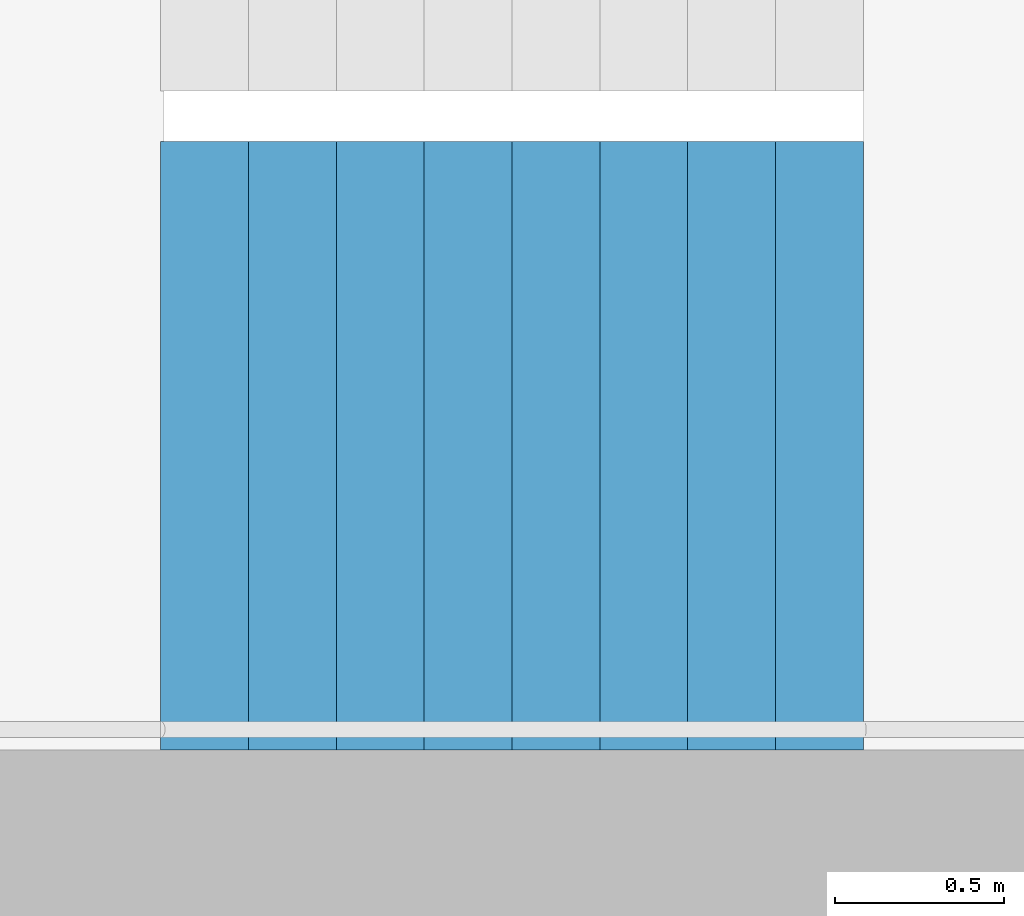
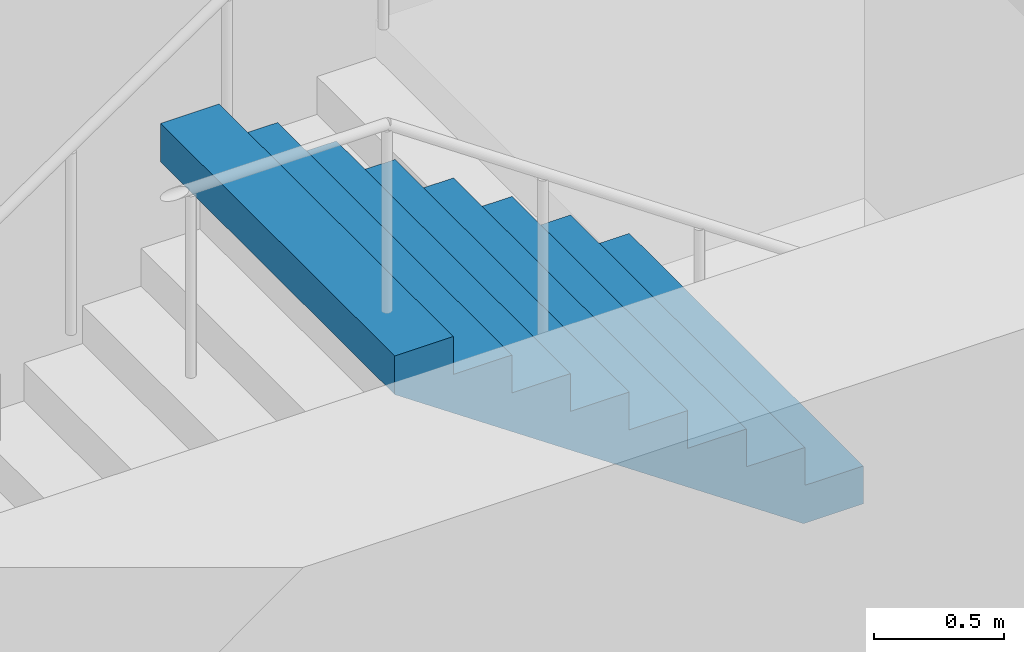
# One storey, part 22 of 26: 1 stair flight, 1 element without a shape of its own.
"""IFC4 building model written with IfcOpenShell, lengths in metres."""

from ifc_helpers import new_model, si_unit, direction, frame, origin, place, context, subcontext, project, spatial, triangles, material, type_object, element, aggregate, save


model = new_model("IFC4")

# Units and contexts
model_context = context("Model", 3, precision=1e-05, world=origin(), true_north=direction((0.0, 1.0)))
body_context = subcontext(model_context, "Body", "Model", "MODEL_VIEW")
ifc_project = project(units=[si_unit("LENGTHUNIT", "METRE"), si_unit("AREAUNIT", "SQUARE_METRE"), si_unit("VOLUMEUNIT", "CUBIC_METRE"), si_unit("PLANEANGLEUNIT", "RADIAN"), si_unit("MASSUNIT", "GRAM", prefix="KILO")], contexts=[model_context])

# Site, building, storey
site_placement = place(None, origin())
site = spatial("IfcSite", under=ifc_project, at=site_placement, CompositionType="ELEMENT")
building_placement = place(site_placement, origin())
building = spatial("IfcBuilding", under=site, at=building_placement, Name="Hakoniwa Tower and Hamabe Station Hall", CompositionType="ELEMENT")
storey_placement = place(building_placement, frame((0.0, 0.0, 225.0)))
storey = spatial("IfcBuildingStorey", under=building, at=storey_placement, Name="L64", CompositionType="ELEMENT", Elevation=225.0)

# Stair, stair flight
ifc_material_1 = material(Name="Concrete C40", Category="concrete")
stair_type = type_object("IfcStairType", Name="ESCAPE STAIR 1800", PredefinedType="HALF_TURN_STAIR", material=ifc_material_1)
stair_placement = place(storey_placement, origin())
stair = element("IfcStair", 1, at=stair_placement, inside=storey, type_object=stair_type, Name="Escape stair ST-4 L64", PredefinedType="HALF_TURN_STAIR")
ifc_material_2 = material(Name="Concrete C40", Category="concrete")
stair_flight_type = type_object("IfcStairFlightType", Name="STAIR FLIGHT 1800", PredefinedType="STRAIGHT", material=ifc_material_2)
stair_flight_placement = place(storey_placement, frame((25.47998046875, -6.60009765625, 1.60009765625), z_axis=(0.0, 0.0, 1.0), x_axis=(-1.0, 0.0, 0.0)))
stair_flight = element("IfcStairFlight", 2, at=stair_flight_placement, type_object=stair_flight_type, Name="ST-4 flight 2", NumberOfRisers=9, NumberOfTreads=8, PredefinedType="STRAIGHT", RiserHeight=0.177777778, TreadLength=0.26, context=body_context, shape_type="Tessellation", body=[
    triangles([(0.0, 0.89990234375, 0.0), (0.260009765625, 0.89990234375, 0.0), (0.265625, 0.89990234375, 0.0), (0.52001953125, 0.89990234375, 0.174072265625), (0.780029296875, 0.89990234375, 0.351806640625), (1.0400390625, 0.89990234375, 0.529541015625), (1.300048828125, 0.89990234375, 0.707275390625), (1.56005859375, 0.89990234375, 0.885009765625), (1.820068359375, 0.89990234375, 1.062744140625), (2.080078125, 0.89990234375, 1.24072265625), (2.080078125, 0.89990234375, 1.422119140625), (1.820068359375, 0.89990234375, 1.422119140625), (1.820068359375, 0.89990234375, 1.244384765625), (1.56005859375, 0.89990234375, 1.244384765625), (1.56005859375, 0.89990234375, 1.066650390625), (1.300048828125, 0.89990234375, 1.066650390625), (1.300048828125, 0.89990234375, 0.888916015625), (1.0400390625, 0.89990234375, 0.888916015625), (1.0400390625, 0.89990234375, 0.711181640625), (0.780029296875, 0.89990234375, 0.711181640625), (0.780029296875, 0.89990234375, 0.533447265625), (0.52001953125, 0.89990234375, 0.533447265625), (0.52001953125, 0.89990234375, 0.35546875), (0.265625, 0.89990234375, 0.35546875), (0.260009765625, 0.89990234375, 0.35546875), (0.260009765625, 0.89990234375, 0.177734375), (0.0, 0.89990234375, 0.177734375), (0.0, 0.06005859375, 0.0), (0.260009765625, 0.06005859375, 0.0), (0.265625, 0.06005859375, 0.0), (0.52001953125, 0.06005859375, 0.174072265625), (0.780029296875, 0.06005859375, 0.351806640625), (1.0400390625, 0.06005859375, 0.529541015625), (1.300048828125, 0.06005859375, 0.707275390625), (1.56005859375, 0.06005859375, 0.885009765625), (1.820068359375, 0.06005859375, 1.062744140625), (2.080078125, 0.06005859375, 1.24072265625), (2.080078125, 0.06005859375, 1.422119140625), (1.820068359375, 0.06005859375, 1.422119140625), (1.820068359375, 0.06005859375, 1.244384765625), (1.56005859375, 0.06005859375, 1.244384765625), (1.56005859375, 0.06005859375, 1.066650390625), (1.300048828125, 0.06005859375, 1.066650390625), (1.300048828125, 0.06005859375, 0.888916015625), (1.0400390625, 0.06005859375, 0.888916015625), (1.0400390625, 0.06005859375, 0.711181640625), (0.780029296875, 0.06005859375, 0.711181640625), (0.780029296875, 0.06005859375, 0.533447265625), (0.52001953125, 0.06005859375, 0.533447265625), (0.52001953125, 0.06005859375, 0.35546875), (0.265625, 0.06005859375, 0.35546875), (0.260009765625, 0.06005859375, 0.35546875), (0.260009765625, 0.06005859375, 0.177734375), (0.0, 0.06005859375, 0.177734375), (0.0, 0.04296875, 0.0), (0.260009765625, 0.04296875, 0.0), (0.265625, 0.04296875, 0.0), (0.52001953125, 0.04296875, 0.174072265625), (0.780029296875, 0.04296875, 0.351806640625), (1.0400390625, 0.04296875, 0.529541015625), (1.300048828125, 0.04296875, 0.707275390625), (1.56005859375, 0.04296875, 0.885009765625), (1.820068359375, 0.04296875, 1.062744140625), (2.080078125, 0.04296875, 1.24072265625), (2.080078125, 0.04296875, 1.422119140625), (1.820068359375, 0.04296875, 1.422119140625), (1.820068359375, 0.04296875, 1.244384765625), (1.56005859375, 0.04296875, 1.244384765625), (1.56005859375, 0.04296875, 1.066650390625), (1.300048828125, 0.04296875, 1.066650390625), (1.300048828125, 0.04296875, 0.888916015625), (1.0400390625, 0.04296875, 0.888916015625), (1.0400390625, 0.04296875, 0.711181640625), (0.780029296875, 0.04296875, 0.711181640625), (0.780029296875, 0.04296875, 0.533447265625), (0.52001953125, 0.04296875, 0.533447265625), (0.52001953125, 0.04296875, 0.35546875), (0.265625, 0.04296875, 0.35546875), (0.260009765625, 0.04296875, 0.35546875), (0.260009765625, 0.04296875, 0.177734375), (0.0, 0.04296875, 0.177734375), (0.0, 0.025634765625, 0.0), (0.260009765625, 0.025634765625, 0.0), (0.265625, 0.025634765625, 0.0), (0.52001953125, 0.025634765625, 0.174072265625), (0.780029296875, 0.025634765625, 0.351806640625), (1.0400390625, 0.025634765625, 0.529541015625), (1.300048828125, 0.025634765625, 0.707275390625), (1.56005859375, 0.025634765625, 0.885009765625), (1.820068359375, 0.025634765625, 1.062744140625), (2.080078125, 0.025634765625, 1.24072265625), (2.080078125, 0.025634765625, 1.422119140625), (1.820068359375, 0.025634765625, 1.422119140625), (1.820068359375, 0.025634765625, 1.244384765625), (1.56005859375, 0.025634765625, 1.244384765625), (1.56005859375, 0.025634765625, 1.066650390625), (1.300048828125, 0.025634765625, 1.066650390625), (1.300048828125, 0.025634765625, 0.888916015625), (1.0400390625, 0.025634765625, 0.888916015625), (1.0400390625, 0.025634765625, 0.711181640625), (0.780029296875, 0.025634765625, 0.711181640625), (0.780029296875, 0.025634765625, 0.533447265625), (0.52001953125, 0.025634765625, 0.533447265625), (0.52001953125, 0.025634765625, 0.35546875), (0.265625, 0.025634765625, 0.35546875), (0.260009765625, 0.025634765625, 0.35546875), (0.260009765625, 0.025634765625, 0.177734375), (0.0, 0.025634765625, 0.177734375), (0.0, 0.008544921875, 0.0), (0.260009765625, 0.008544921875, 0.0), (0.265625, 0.008544921875, 0.0), (0.52001953125, 0.008544921875, 0.174072265625), (0.780029296875, 0.008544921875, 0.351806640625), (1.0400390625, 0.008544921875, 0.529541015625), (1.300048828125, 0.008544921875, 0.707275390625), (1.56005859375, 0.008544921875, 0.885009765625), (1.820068359375, 0.008544921875, 1.062744140625), (2.080078125, 0.008544921875, 1.24072265625), (2.080078125, 0.008544921875, 1.422119140625), (1.820068359375, 0.008544921875, 1.422119140625), (1.820068359375, 0.008544921875, 1.244384765625), (1.56005859375, 0.008544921875, 1.244384765625), (1.56005859375, 0.008544921875, 1.066650390625), (1.300048828125, 0.008544921875, 1.066650390625), (1.300048828125, 0.008544921875, 0.888916015625), (1.0400390625, 0.008544921875, 0.888916015625), (1.0400390625, 0.008544921875, 0.711181640625), (0.780029296875, 0.008544921875, 0.711181640625), (0.780029296875, 0.008544921875, 0.533447265625), (0.52001953125, 0.008544921875, 0.533447265625), (0.52001953125, 0.008544921875, 0.35546875), (0.265625, 0.008544921875, 0.35546875), (0.260009765625, 0.008544921875, 0.35546875), (0.260009765625, 0.008544921875, 0.177734375), (0.0, 0.008544921875, 0.177734375), (0.0, -0.008544921875, 0.0), (0.260009765625, -0.008544921875, 0.0), (0.265625, -0.008544921875, 0.0), (0.52001953125, -0.008544921875, 0.174072265625), (0.780029296875, -0.008544921875, 0.351806640625), (1.0400390625, -0.008544921875, 0.529541015625), (1.300048828125, -0.008544921875, 0.707275390625), (1.56005859375, -0.008544921875, 0.885009765625), (1.820068359375, -0.008544921875, 1.062744140625), (2.080078125, -0.008544921875, 1.24072265625), (2.080078125, -0.008544921875, 1.422119140625), (1.820068359375, -0.008544921875, 1.422119140625), (1.820068359375, -0.008544921875, 1.244384765625), (1.56005859375, -0.008544921875, 1.244384765625), (1.56005859375, -0.008544921875, 1.066650390625), (1.300048828125, -0.008544921875, 1.066650390625), (1.300048828125, -0.008544921875, 0.888916015625), (1.0400390625, -0.008544921875, 0.888916015625), (1.0400390625, -0.008544921875, 0.711181640625), (0.780029296875, -0.008544921875, 0.711181640625), (0.780029296875, -0.008544921875, 0.533447265625), (0.52001953125, -0.008544921875, 0.533447265625), (0.52001953125, -0.008544921875, 0.35546875), (0.265625, -0.008544921875, 0.35546875), (0.260009765625, -0.008544921875, 0.35546875), (0.260009765625, -0.008544921875, 0.177734375), (0.0, -0.008544921875, 0.177734375), (0.0, -0.025634765625, 0.0), (0.260009765625, -0.025634765625, 0.0), (0.265625, -0.025634765625, 0.0), (0.52001953125, -0.025634765625, 0.174072265625), (0.780029296875, -0.025634765625, 0.351806640625), (1.0400390625, -0.025634765625, 0.529541015625), (1.300048828125, -0.025634765625, 0.707275390625), (1.56005859375, -0.025634765625, 0.885009765625), (1.820068359375, -0.025634765625, 1.062744140625), (2.080078125, -0.025634765625, 1.24072265625), (2.080078125, -0.025634765625, 1.422119140625), (1.820068359375, -0.025634765625, 1.422119140625), (1.820068359375, -0.025634765625, 1.244384765625), (1.56005859375, -0.025634765625, 1.244384765625), (1.56005859375, -0.025634765625, 1.066650390625), (1.300048828125, -0.025634765625, 1.066650390625), (1.300048828125, -0.025634765625, 0.888916015625), (1.0400390625, -0.025634765625, 0.888916015625), (1.0400390625, -0.025634765625, 0.711181640625), (0.780029296875, -0.025634765625, 0.711181640625), (0.780029296875, -0.025634765625, 0.533447265625), (0.52001953125, -0.025634765625, 0.533447265625), (0.52001953125, -0.025634765625, 0.35546875), (0.265625, -0.025634765625, 0.35546875), (0.260009765625, -0.025634765625, 0.35546875), (0.260009765625, -0.025634765625, 0.177734375), (0.0, -0.025634765625, 0.177734375), (0.0, -0.04296875, 0.0), (0.260009765625, -0.04296875, 0.0), (0.265625, -0.04296875, 0.0), (0.52001953125, -0.04296875, 0.174072265625), (0.780029296875, -0.04296875, 0.351806640625), (1.0400390625, -0.04296875, 0.529541015625), (1.300048828125, -0.04296875, 0.707275390625), (1.56005859375, -0.04296875, 0.885009765625), (1.820068359375, -0.04296875, 1.062744140625), (2.080078125, -0.04296875, 1.24072265625), (2.080078125, -0.04296875, 1.422119140625), (1.820068359375, -0.04296875, 1.422119140625), (1.820068359375, -0.04296875, 1.244384765625), (1.56005859375, -0.04296875, 1.244384765625), (1.56005859375, -0.04296875, 1.066650390625), (1.300048828125, -0.04296875, 1.066650390625), (1.300048828125, -0.04296875, 0.888916015625), (1.0400390625, -0.04296875, 0.888916015625), (1.0400390625, -0.04296875, 0.711181640625), (0.780029296875, -0.04296875, 0.711181640625), (0.780029296875, -0.04296875, 0.533447265625), (0.52001953125, -0.04296875, 0.533447265625), (0.52001953125, -0.04296875, 0.35546875), (0.265625, -0.04296875, 0.35546875), (0.260009765625, -0.04296875, 0.35546875), (0.260009765625, -0.04296875, 0.177734375), (0.0, -0.04296875, 0.177734375), (0.0, -0.06005859375, 0.0), (0.260009765625, -0.06005859375, 0.0), (0.265625, -0.06005859375, 0.0), (0.52001953125, -0.06005859375, 0.174072265625), (0.780029296875, -0.06005859375, 0.351806640625), (1.0400390625, -0.06005859375, 0.529541015625), (1.300048828125, -0.06005859375, 0.707275390625), (1.56005859375, -0.06005859375, 0.885009765625), (1.820068359375, -0.06005859375, 1.062744140625), (2.080078125, -0.06005859375, 1.24072265625), (2.080078125, -0.06005859375, 1.422119140625), (1.820068359375, -0.06005859375, 1.422119140625), (1.820068359375, -0.06005859375, 1.244384765625), (1.56005859375, -0.06005859375, 1.244384765625), (1.56005859375, -0.06005859375, 1.066650390625), (1.300048828125, -0.06005859375, 1.066650390625), (1.300048828125, -0.06005859375, 0.888916015625), (1.0400390625, -0.06005859375, 0.888916015625), (1.0400390625, -0.06005859375, 0.711181640625), (0.780029296875, -0.06005859375, 0.711181640625), (0.780029296875, -0.06005859375, 0.533447265625), (0.52001953125, -0.06005859375, 0.533447265625), (0.52001953125, -0.06005859375, 0.35546875), (0.265625, -0.06005859375, 0.35546875), (0.260009765625, -0.06005859375, 0.35546875), (0.260009765625, -0.06005859375, 0.177734375), (0.0, -0.06005859375, 0.177734375), (0.0, -0.89990234375, 0.0), (0.260009765625, -0.89990234375, 0.0), (0.265625, -0.89990234375, 0.0), (0.52001953125, -0.89990234375, 0.174072265625), (0.780029296875, -0.89990234375, 0.351806640625), (1.0400390625, -0.89990234375, 0.529541015625), (1.300048828125, -0.89990234375, 0.707275390625), (1.56005859375, -0.89990234375, 0.885009765625), (1.820068359375, -0.89990234375, 1.062744140625), (2.080078125, -0.89990234375, 1.24072265625), (2.080078125, -0.89990234375, 1.422119140625), (1.820068359375, -0.89990234375, 1.422119140625), (1.820068359375, -0.89990234375, 1.244384765625), (1.56005859375, -0.89990234375, 1.244384765625), (1.56005859375, -0.89990234375, 1.066650390625), (1.300048828125, -0.89990234375, 1.066650390625), (1.300048828125, -0.89990234375, 0.888916015625), (1.0400390625, -0.89990234375, 0.888916015625), (1.0400390625, -0.89990234375, 0.711181640625), (0.780029296875, -0.89990234375, 0.711181640625), (0.780029296875, -0.89990234375, 0.533447265625), (0.52001953125, -0.89990234375, 0.533447265625), (0.52001953125, -0.89990234375, 0.35546875), (0.265625, -0.89990234375, 0.35546875), (0.260009765625, -0.89990234375, 0.35546875), (0.260009765625, -0.89990234375, 0.177734375), (0.0, -0.89990234375, 0.177734375)], [[2, 27, 26], [245, 269, 270], [2, 1, 27], [245, 270, 244], [3, 25, 24], [246, 267, 268], [3, 26, 25], [246, 268, 269], [3, 2, 26], [246, 269, 245], [4, 24, 23], [247, 266, 267], [4, 3, 24], [247, 267, 246], [5, 22, 21], [248, 264, 265], [5, 23, 22], [248, 265, 266], [5, 4, 23], [248, 266, 247], [6, 20, 19], [249, 262, 263], [6, 21, 20], [249, 263, 264], [6, 5, 21], [249, 264, 248], [7, 18, 17], [250, 260, 261], [7, 19, 18], [250, 261, 262], [7, 6, 19], [250, 262, 249], [8, 16, 15], [251, 258, 259], [8, 17, 16], [251, 259, 260], [8, 7, 17], [251, 260, 250], [9, 14, 13], [252, 256, 257], [9, 15, 14], [252, 257, 258], [9, 8, 15], [252, 258, 251], [10, 12, 11], [253, 254, 255], [10, 13, 12], [253, 255, 256], [10, 9, 13], [253, 256, 252], [1, 2, 29], [1, 29, 28], [28, 29, 56], [28, 56, 55], [55, 56, 83], [55, 83, 82], [82, 83, 110], [82, 110, 109], [109, 110, 137], [109, 137, 136], [136, 137, 164], [136, 164, 163], [163, 164, 191], [163, 191, 190], [190, 191, 218], [190, 218, 217], [217, 218, 245], [217, 245, 244], [2, 3, 30], [2, 30, 29], [29, 30, 57], [29, 57, 56], [56, 57, 84], [56, 84, 83], [83, 84, 111], [83, 111, 110], [110, 111, 138], [110, 138, 137], [137, 138, 165], [137, 165, 164], [164, 165, 192], [164, 192, 191], [191, 192, 219], [191, 219, 218], [218, 219, 246], [218, 246, 245], [3, 4, 31], [3, 31, 30], [30, 31, 58], [30, 58, 57], [57, 58, 85], [57, 85, 84], [84, 85, 112], [84, 112, 111], [111, 112, 139], [111, 139, 138], [138, 139, 166], [138, 166, 165], [165, 166, 193], [165, 193, 192], [192, 193, 220], [192, 220, 219], [219, 220, 247], [219, 247, 246], [4, 5, 32], [4, 32, 31], [31, 32, 59], [31, 59, 58], [58, 59, 86], [58, 86, 85], [85, 86, 113], [85, 113, 112], [112, 113, 140], [112, 140, 139], [139, 140, 167], [139, 167, 166], [166, 167, 194], [166, 194, 193], [193, 194, 221], [193, 221, 220], [220, 221, 248], [220, 248, 247], [5, 6, 33], [5, 33, 32], [32, 33, 60], [32, 60, 59], [59, 60, 87], [59, 87, 86], [86, 87, 114], [86, 114, 113], [113, 114, 141], [113, 141, 140], [140, 141, 168], [140, 168, 167], [167, 168, 195], [167, 195, 194], [194, 195, 222], [194, 222, 221], [221, 222, 249], [221, 249, 248], [6, 7, 34], [6, 34, 33], [33, 34, 61], [33, 61, 60], [60, 61, 88], [60, 88, 87], [87, 88, 115], [87, 115, 114], [114, 115, 142], [114, 142, 141], [141, 142, 169], [141, 169, 168], [168, 169, 196], [168, 196, 195], [195, 196, 223], [195, 223, 222], [222, 223, 250], [222, 250, 249], [7, 8, 35], [7, 35, 34], [34, 35, 62], [34, 62, 61], [61, 62, 89], [61, 89, 88], [88, 89, 116], [88, 116, 115], [115, 116, 143], [115, 143, 142], [142, 143, 170], [142, 170, 169], [169, 170, 197], [169, 197, 196], [196, 197, 224], [196, 224, 223], [223, 224, 251], [223, 251, 250], [8, 9, 36], [8, 36, 35], [35, 36, 63], [35, 63, 62], [62, 63, 90], [62, 90, 89], [89, 90, 117], [89, 117, 116], [116, 117, 144], [116, 144, 143], [143, 144, 171], [143, 171, 170], [170, 171, 198], [170, 198, 197], [197, 198, 225], [197, 225, 224], [224, 225, 252], [224, 252, 251], [9, 10, 37], [9, 37, 36], [36, 37, 64], [36, 64, 63], [63, 64, 91], [63, 91, 90], [90, 91, 118], [90, 118, 117], [117, 118, 145], [117, 145, 144], [144, 145, 172], [144, 172, 171], [171, 172, 199], [171, 199, 198], [198, 199, 226], [198, 226, 225], [225, 226, 253], [225, 253, 252], [10, 11, 38], [10, 38, 37], [37, 38, 65], [37, 65, 64], [64, 65, 92], [64, 92, 91], [91, 92, 119], [91, 119, 118], [118, 119, 146], [118, 146, 145], [145, 146, 173], [145, 173, 172], [172, 173, 200], [172, 200, 199], [199, 200, 227], [199, 227, 226], [226, 227, 254], [226, 254, 253], [11, 12, 39], [11, 39, 38], [38, 39, 66], [38, 66, 65], [65, 66, 93], [65, 93, 92], [92, 93, 120], [92, 120, 119], [119, 120, 147], [119, 147, 146], [146, 147, 174], [146, 174, 173], [173, 174, 201], [173, 201, 200], [200, 201, 228], [200, 228, 227], [227, 228, 255], [227, 255, 254], [12, 13, 40], [12, 40, 39], [39, 40, 67], [39, 67, 66], [66, 67, 94], [66, 94, 93], [93, 94, 121], [93, 121, 120], [120, 121, 148], [120, 148, 147], [147, 148, 175], [147, 175, 174], [174, 175, 202], [174, 202, 201], [201, 202, 229], [201, 229, 228], [228, 229, 256], [228, 256, 255], [13, 14, 41], [13, 41, 40], [40, 41, 68], [40, 68, 67], [67, 68, 95], [67, 95, 94], [94, 95, 122], [94, 122, 121], [121, 122, 149], [121, 149, 148], [148, 149, 176], [148, 176, 175], [175, 176, 203], [175, 203, 202], [202, 203, 230], [202, 230, 229], [229, 230, 257], [229, 257, 256], [14, 15, 42], [14, 42, 41], [41, 42, 69], [41, 69, 68], [68, 69, 96], [68, 96, 95], [95, 96, 123], [95, 123, 122], [122, 123, 150], [122, 150, 149], [149, 150, 177], [149, 177, 176], [176, 177, 204], [176, 204, 203], [203, 204, 231], [203, 231, 230], [230, 231, 258], [230, 258, 257], [15, 16, 43], [15, 43, 42], [42, 43, 70], [42, 70, 69], [69, 70, 97], [69, 97, 96], [96, 97, 124], [96, 124, 123], [123, 124, 151], [123, 151, 150], [150, 151, 178], [150, 178, 177], [177, 178, 205], [177, 205, 204], [204, 205, 232], [204, 232, 231], [231, 232, 259], [231, 259, 258], [16, 17, 44], [16, 44, 43], [43, 44, 71], [43, 71, 70], [70, 71, 98], [70, 98, 97], [97, 98, 125], [97, 125, 124], [124, 125, 152], [124, 152, 151], [151, 152, 179], [151, 179, 178], [178, 179, 206], [178, 206, 205], [205, 206, 233], [205, 233, 232], [232, 233, 260], [232, 260, 259], [17, 18, 45], [17, 45, 44], [44, 45, 72], [44, 72, 71], [71, 72, 99], [71, 99, 98], [98, 99, 126], [98, 126, 125], [125, 126, 153], [125, 153, 152], [152, 153, 180], [152, 180, 179], [179, 180, 207], [179, 207, 206], [206, 207, 234], [206, 234, 233], [233, 234, 261], [233, 261, 260], [18, 19, 46], [18, 46, 45], [45, 46, 73], [45, 73, 72], [72, 73, 100], [72, 100, 99], [99, 100, 127], [99, 127, 126], [126, 127, 154], [126, 154, 153], [153, 154, 181], [153, 181, 180], [180, 181, 208], [180, 208, 207], [207, 208, 235], [207, 235, 234], [234, 235, 262], [234, 262, 261], [19, 20, 47], [19, 47, 46], [46, 47, 74], [46, 74, 73], [73, 74, 101], [73, 101, 100], [100, 101, 128], [100, 128, 127], [127, 128, 155], [127, 155, 154], [154, 155, 182], [154, 182, 181], [181, 182, 209], [181, 209, 208], [208, 209, 236], [208, 236, 235], [235, 236, 263], [235, 263, 262], [20, 21, 48], [20, 48, 47], [47, 48, 75], [47, 75, 74], [74, 75, 102], [74, 102, 101], [101, 102, 129], [101, 129, 128], [128, 129, 156], [128, 156, 155], [155, 156, 183], [155, 183, 182], [182, 183, 210], [182, 210, 209], [209, 210, 237], [209, 237, 236], [236, 237, 264], [236, 264, 263], [21, 22, 49], [21, 49, 48], [48, 49, 76], [48, 76, 75], [75, 76, 103], [75, 103, 102], [102, 103, 130], [102, 130, 129], [129, 130, 157], [129, 157, 156], [156, 157, 184], [156, 184, 183], [183, 184, 211], [183, 211, 210], [210, 211, 238], [210, 238, 237], [237, 238, 265], [237, 265, 264], [22, 23, 50], [22, 50, 49], [49, 50, 77], [49, 77, 76], [76, 77, 104], [76, 104, 103], [103, 104, 131], [103, 131, 130], [130, 131, 158], [130, 158, 157], [157, 158, 185], [157, 185, 184], [184, 185, 212], [184, 212, 211], [211, 212, 239], [211, 239, 238], [238, 239, 266], [238, 266, 265], [23, 24, 51], [23, 51, 50], [50, 51, 78], [50, 78, 77], [77, 78, 105], [77, 105, 104], [104, 105, 132], [104, 132, 131], [131, 132, 159], [131, 159, 158], [158, 159, 186], [158, 186, 185], [185, 186, 213], [185, 213, 212], [212, 213, 240], [212, 240, 239], [239, 240, 267], [239, 267, 266], [24, 25, 52], [24, 52, 51], [51, 52, 79], [51, 79, 78], [78, 79, 106], [78, 106, 105], [105, 106, 133], [105, 133, 132], [132, 133, 160], [132, 160, 159], [159, 160, 187], [159, 187, 186], [186, 187, 214], [186, 214, 213], [213, 214, 241], [213, 241, 240], [240, 241, 268], [240, 268, 267], [25, 26, 53], [25, 53, 52], [52, 53, 80], [52, 80, 79], [79, 80, 107], [79, 107, 106], [106, 107, 134], [106, 134, 133], [133, 134, 161], [133, 161, 160], [160, 161, 188], [160, 188, 187], [187, 188, 215], [187, 215, 214], [214, 215, 242], [214, 242, 241], [241, 242, 269], [241, 269, 268], [26, 27, 54], [26, 54, 53], [53, 54, 81], [53, 81, 80], [80, 81, 108], [80, 108, 107], [107, 108, 135], [107, 135, 134], [134, 135, 162], [134, 162, 161], [161, 162, 189], [161, 189, 188], [188, 189, 216], [188, 216, 215], [215, 216, 243], [215, 243, 242], [242, 243, 270], [242, 270, 269], [27, 1, 28], [27, 28, 54], [54, 28, 55], [54, 55, 81], [81, 55, 82], [81, 82, 108], [108, 82, 109], [108, 109, 135], [135, 109, 136], [135, 136, 162], [162, 136, 163], [162, 163, 189], [189, 163, 190], [189, 190, 216], [216, 190, 217], [216, 217, 243], [243, 217, 244], [243, 244, 270]], closed=True),
])
aggregate(stair, [stair_flight])

save(model, "model.ifc")
